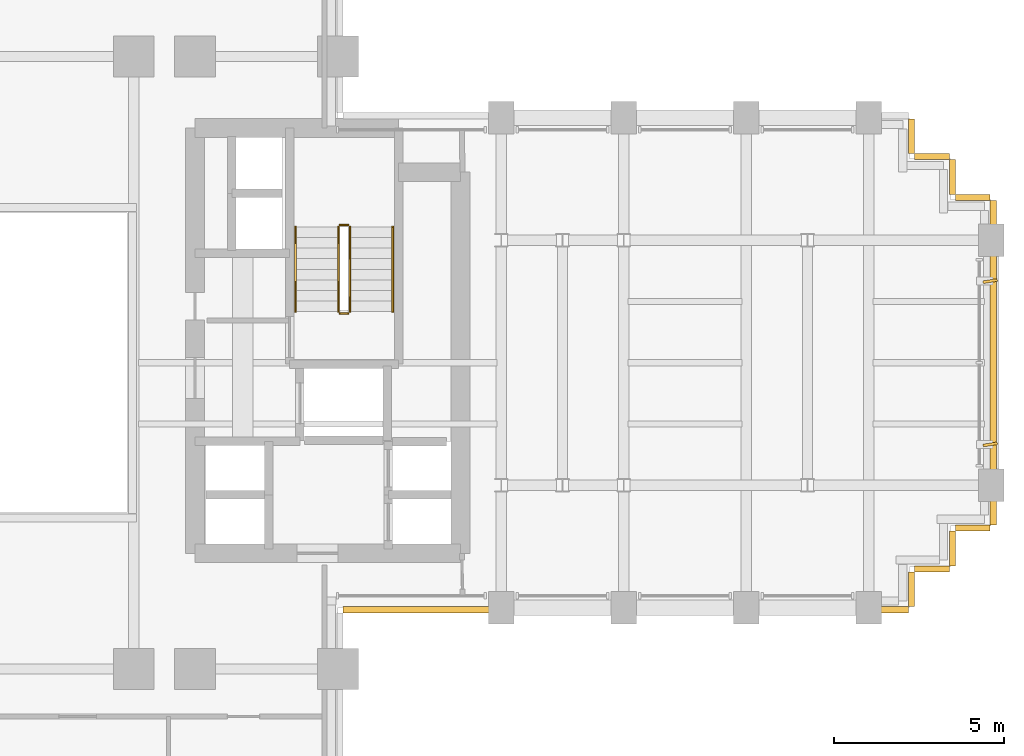
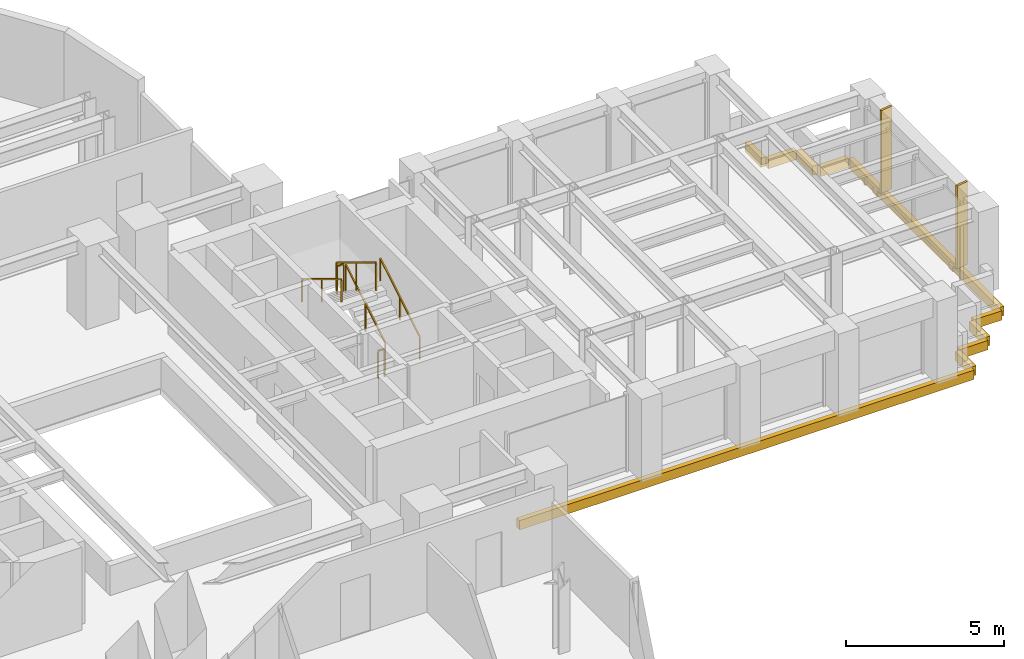
# One storey, part 15 of 16: 10 coverings, 6 railings, 2 shading devices.
"""IFC4 building model written with IfcOpenShell, lengths in metres."""

from ifc_helpers import new_model, si_unit, direction, frame, origin, origin_2d, place, context, subcontext, project, spatial, rectangle, extrude, source, transform, mapped, material, layer, layer_set, type_object, element, save


model = new_model("IFC4")

# Units and contexts
model_context = context("Model", 3, precision=1e-05, world=origin(), true_north=direction((0.0, 1.0)))
body_context = subcontext(model_context, "Body", "Model", "MODEL_VIEW")
ifc_project = project(units=[si_unit("LENGTHUNIT", "METRE"), si_unit("AREAUNIT", "SQUARE_METRE"), si_unit("VOLUMEUNIT", "CUBIC_METRE"), si_unit("PLANEANGLEUNIT", "RADIAN"), si_unit("MASSUNIT", "GRAM", prefix="KILO")], contexts=[model_context])

# Site, building, storey
site_placement = place(None, origin())
site = spatial("IfcSite", under=ifc_project, at=site_placement, CompositionType="ELEMENT")
building_placement = place(site_placement, origin())
building = spatial("IfcBuilding", under=site, at=building_placement, Name="Keilestroom Media Tower", CompositionType="ELEMENT")
storey_placement = place(building_placement, frame((0.0, 0.0, 78.199951171875)))
storey = spatial("IfcBuildingStorey", under=building, at=storey_placement, Name="L20", CompositionType="ELEMENT", Elevation=78.199951171875)

# Railings
ifc_material_1 = material(Name="Brushed Stainless Steel 1.4301", Category="steel")
railing_type_1 = type_object("IfcRailingType", Name="Stair-Pitch-Handrail-920", PredefinedType="HANDRAIL", material=ifc_material_1)
railing_1_placement = place(storey_placement, frame((11.2099609375, 1.5, 0.18896484375)))
element("IfcRailing", 1, at=railing_1_placement, inside=storey, type_object=railing_type_1, Name="L20 ST-2 stair handrail 1", PredefinedType="HANDRAIL", context=body_context, shape_type="SweptSolid", body=[
    extrude(rectangle(XDim=0.048095703125, YDim=0.048095703125, at=origin_2d()), frame((0.0, 0.0, 0.8759765625), z_axis=(0.0, 0.855470815493, 0.517851024754), x_axis=(-1.0, 0.0, 0.0)), (0.0, 0.0, 1.0), 2.917724609375),
    extrude(rectangle(XDim=0.0419921875, YDim=0.0419921875, at=origin_2d()), origin(), (0.0, 0.0, 1.0), 0.84375),
    extrude(rectangle(XDim=0.0419921875, YDim=0.0419921875, at=origin_2d()), frame((0.0, 1.248046875, 0.75537109375)), (0.0, 0.0, 1.0), 0.84375),
    extrude(rectangle(XDim=0.0419921875, YDim=0.0419921875, at=origin_2d()), frame((0.0, 2.49609375, 1.510986328125)), (0.0, 0.0, 1.0), 0.84375),
])
railing_2_placement = place(storey_placement, frame((8.35009765625, 3.99609375, 1.888916015625)))
element("IfcRailing", 2, at=railing_2_placement, inside=storey, type_object=railing_type_1, Name="L20 ST-2 stair handrail 2", PredefinedType="HANDRAIL", context=body_context, shape_type="SweptSolid", body=[
    extrude(rectangle(XDim=0.048095703125, YDim=0.048095703125, at=origin_2d()), frame((0.0, 0.0, 0.8759765625), z_axis=(0.0, -0.855433747314, 0.517912255074), x_axis=(1.0, 0.0, 0.0)), (0.0, 0.0, 1.0), 2.91796875),
    extrude(rectangle(XDim=0.0419921875, YDim=0.0419921875, at=origin_2d()), origin(), (0.0, 0.0, 1.0), 0.84375),
    extrude(rectangle(XDim=0.0419921875, YDim=0.0419921875, at=origin_2d()), frame((0.0, -1.248046875, 0.755615234375)), (0.0, 0.0, 1.0), 0.84375),
    extrude(rectangle(XDim=0.0419921875, YDim=0.0419921875, at=origin_2d()), frame((0.0, -2.49609375, 1.51123046875)), (0.0, 0.0, 1.0), 0.84375),
])
ifc_material_2 = material(Name="Painted Steel Balustrade", Category="steel")
railing_type_2 = type_object("IfcRailingType", Name="Stair-Well-And-Landing-Guard-1100", PredefinedType="GUARDRAIL", material=ifc_material_2)
railing_3_placement = place(storey_placement, frame((9.949951171875, 1.5, 0.18896484375)))
element("IfcRailing", 3, at=railing_3_placement, inside=storey, type_object=railing_type_2, Name="L20 ST-2 stair guard 1", PredefinedType="GUARDRAIL", context=body_context, shape_type="SweptSolid", body=[
    extrude(rectangle(XDim=0.048095703125, YDim=0.048095703125, at=origin_2d()), frame((0.0, 0.0, 1.076171875), z_axis=(0.0, 0.855470815493, 0.517851024754), x_axis=(-1.0, 0.0, 0.0)), (0.0, 0.0, 1.0), 2.917724609375),
    extrude(rectangle(XDim=0.0419921875, YDim=0.0419921875, at=origin_2d()), origin(), (0.0, 0.0, 1.0), 1.0439453125),
    extrude(rectangle(XDim=0.0419921875, YDim=0.0419921875, at=origin_2d()), frame((0.0, 1.248046875, 0.75537109375)), (0.0, 0.0, 1.0), 1.0439453125),
    extrude(rectangle(XDim=0.0419921875, YDim=0.0419921875, at=origin_2d()), frame((0.0, 2.49609375, 1.510986328125)), (0.0, 0.0, 1.0), 1.0439453125),
])
railing_4_placement = place(storey_placement, frame((9.89990234375, 4.0458984375, 1.699951171875)))
element("IfcRailing", 4, at=railing_4_placement, inside=storey, type_object=railing_type_2, Name="L20 ST-2 stair guard 2", PredefinedType="GUARDRAIL", context=body_context, shape_type="SweptSolid", body=[
    extrude(rectangle(XDim=0.048095703125, YDim=0.048095703125, at=origin_2d()), frame((0.0, 0.0, 1.076171875), z_axis=(-1.0, 0.0, 0.0), x_axis=(0.0, -1.0, 0.0)), (0.0, 0.0, 1.0), 0.239990234375),
    extrude(rectangle(XDim=0.0419921875, YDim=0.0419921875, at=origin_2d()), origin(), (0.0, 0.0, 1.0), 1.0439453125),
    extrude(rectangle(XDim=0.0419921875, YDim=0.0419921875, at=origin_2d()), frame((-0.239990234375, 0.0, 0.0)), (0.0, 0.0, 1.0), 1.0439453125),
])
railing_5_placement = place(storey_placement, frame((9.610107421875, 3.99609375, 1.888916015625)))
element("IfcRailing", 5, at=railing_5_placement, inside=storey, type_object=railing_type_2, Name="L20 ST-2 stair guard 3", PredefinedType="GUARDRAIL", context=body_context, shape_type="SweptSolid", body=[
    extrude(rectangle(XDim=0.048095703125, YDim=0.048095703125, at=origin_2d()), frame((0.0, 0.0, 1.076171875), z_axis=(0.0, -0.855433747314, 0.517912255074), x_axis=(1.0, 0.0, 0.0)), (0.0, 0.0, 1.0), 2.91796875),
    extrude(rectangle(XDim=0.0419921875, YDim=0.0419921875, at=origin_2d()), origin(), (0.0, 0.0, 1.0), 1.0439453125),
    extrude(rectangle(XDim=0.0419921875, YDim=0.0419921875, at=origin_2d()), frame((0.0, -1.248046875, 0.755615234375)), (0.0, 0.0, 1.0), 1.0439453125),
    extrude(rectangle(XDim=0.0419921875, YDim=0.0419921875, at=origin_2d()), frame((0.0, -2.49609375, 1.51123046875)), (0.0, 0.0, 1.0), 1.0439453125),
])
railing_6_placement = place(storey_placement, frame((9.89990234375, 1.449951171875, 0.0)))
element("IfcRailing", 6, at=railing_6_placement, inside=storey, type_object=railing_type_2, Name="L20 ST-2 stair guard 4", PredefinedType="GUARDRAIL", context=body_context, shape_type="SweptSolid", body=[
    extrude(rectangle(XDim=0.048095703125, YDim=0.048095703125, at=origin_2d()), frame((0.0, 0.0, 1.076171875), z_axis=(-1.0, 0.0, 0.0), x_axis=(0.0, -1.0, 0.0)), (0.0, 0.0, 1.0), 0.239990234375),
    extrude(rectangle(XDim=0.0419921875, YDim=0.0419921875, at=origin_2d()), origin(), (0.0, 0.0, 1.0), 1.0439453125),
    extrude(rectangle(XDim=0.0419921875, YDim=0.0419921875, at=origin_2d()), frame((-0.239990234375, 0.0, 0.0)), (0.0, 0.0, 1.0), 1.0439453125),
])

# Shading devices
ifc_material_3 = material(Name="Bronze Anodised Aluminium", Category="aluminium")
shading_device_type = type_object("IfcShadingDeviceType", Name="Facade-Vertical-Sunshade-Fin-SHD-1", PredefinedType="USERDEFINED", material=ifc_material_3)
shared_shape_1 = source(origin(), body_context, "Body", "SweptSolid", [
    extrude(rectangle(XDim=0.419921875, YDim=0.080078125, at=origin_2d()), origin(), (0.0, 0.0, 1.0), 3.199951171875),
])
for number, where, z_axis, x_axis, name in (
    (7, (28.77001953125, -2.39990234375, 0.0), (0.0, 0.0, 1.0), (0.988040736507, 0.15419307054, 0.0), "L20 Twisting Sunshade Fin SHD-1 027"),
    (8, (28.77001953125, 2.39990234375, 0.0), (0.0, 0.0, 1.0), (0.988040736507, 0.15419307054, 0.0), "L20 Twisting Sunshade Fin SHD-1 028"),
):
    element("IfcShadingDevice", number, at=place(storey_placement, frame(where, z_axis=z_axis, x_axis=x_axis)), inside=storey, type_object=shading_device_type, Name=name, ObjectType="SUNSHADE", PredefinedType="USERDEFINED", context=body_context, shape_type="MappedRepresentation", body=[
        mapped(shared_shape_1, transform((0.0, 0.0, 0.0), x_axis=(1.0, 0.0, 0.0), y_axis=(0.0, 1.0, 0.0), z_axis=(0.0, 0.0, 1.0), scale=1.0)),
    ])

# Coverings
ifc_material_4 = material(Name="Precast concrete C40/50", Category="concrete")
ifc_layer = layer(ifc_material_4, 0.1201171875)
ifc_layer_set = layer_set([ifc_layer], Name="Precast concrete C40/50")
covering_type = type_object("IfcCoveringType", Name="Exterior-Precast-Spandrel-Cladding-Panel-120", PredefinedType="CLADDING", material=ifc_layer_set)
shared_shape_2 = source(origin(), body_context, "Body", "SweptSolid", [
    extrude(rectangle(XDim=1.02001953125, YDim=0.179931640625, at=origin_2d()), origin(), (0.0, 0.0, 1.0), 0.360107421875),
])
for number, where, z_axis, x_axis, name in (
    (9, (28.260009765625, -4.860107421875, -0.5400390625), (0.0, 0.0, 1.0), (-1.0, 0.0, 0.0), "L20 Precast Slab-Edge Fascia Cornice 01"),
    (10, (27.659912109375, -5.4599609375, -0.5400390625), (0.0, 0.0, 1.0), (0.0, -1.0, 0.0), "L20 Precast Slab-Edge Fascia Cornice 02"),
    (11, (27.06005859375, -6.06005859375, -0.5400390625), (0.0, 0.0, 1.0), (-1.0, 0.0, 0.0), "L20 Precast Slab-Edge Fascia Cornice 03"),
    (12, (26.4599609375, -6.659912109375, -0.5400390625), (0.0, 0.0, 1.0), (0.0, -1.0, 0.0), "L20 Precast Slab-Edge Fascia Cornice 04"),
    (13, (26.4599609375, 6.659912109375, -0.5400390625), (0.0, 0.0, 1.0), (0.0, -1.0, 0.0), "L20 Precast Slab-Edge Fascia Cornice 38"),
    (14, (27.06005859375, 6.06005859375, -0.5400390625), (0.0, 0.0, 1.0), (1.0, 0.0, 0.0), "L20 Precast Slab-Edge Fascia Cornice 39"),
    (15, (27.659912109375, 5.4599609375, -0.5400390625), (0.0, 0.0, 1.0), (0.0, -1.0, 0.0), "L20 Precast Slab-Edge Fascia Cornice 40"),
    (16, (28.260009765625, 4.860107421875, -0.5400390625), (0.0, 0.0, 1.0), (1.0, 0.0, 0.0), "L20 Precast Slab-Edge Fascia Cornice 41"),
):
    element("IfcCovering", number, at=place(storey_placement, frame(where, z_axis=z_axis, x_axis=x_axis)), inside=storey, type_object=covering_type, Name=name, PredefinedType="CLADDING", context=body_context, shape_type="MappedRepresentation", body=[
        mapped(shared_shape_2, transform((0.0, 0.0, 0.0), x_axis=(1.0, 0.0, 0.0), y_axis=(0.0, 1.0, 0.0), z_axis=(0.0, 0.0, 1.0), scale=1.0)),
    ])
shared_shape_3 = source(origin(), body_context, "Body", "SweptSolid", [
    extrude(rectangle(XDim=16.6201171875, YDim=0.179931640625, at=origin_2d()), origin(), (0.0, 0.0, 1.0), 0.360107421875),
])
covering_1_placement = place(storey_placement, frame((18.06005859375, -7.260009765625, -0.5400390625), z_axis=(0.0, 0.0, 1.0), x_axis=(-1.0, 0.0, 0.0)))
element("IfcCovering", 17, at=covering_1_placement, inside=storey, type_object=covering_type, Name="L20 Precast Slab-Edge Fascia Cornice 05", PredefinedType="CLADDING", context=body_context, shape_type="MappedRepresentation", body=[
    mapped(shared_shape_3, transform((0.0, 0.0, 0.0), x_axis=(1.0, 0.0, 0.0), y_axis=(0.0, 1.0, 0.0), z_axis=(0.0, 0.0, 1.0), scale=1.0)),
])
shared_shape_4 = source(origin(), body_context, "Body", "SweptSolid", [
    extrude(rectangle(XDim=9.5400390625, YDim=0.179931640625, at=origin_2d()), origin(), (0.0, 0.0, 1.0), 0.360107421875),
])
covering_2_placement = place(storey_placement, frame((28.860107421875, 0.0, -0.5400390625), z_axis=(0.0, 0.0, 1.0), x_axis=(0.0, -1.0, 0.0)))
element("IfcCovering", 18, at=covering_2_placement, inside=storey, type_object=covering_type, Name="L20 Precast Slab-Edge Fascia Cornice 42", PredefinedType="CLADDING", context=body_context, shape_type="MappedRepresentation", body=[
    mapped(shared_shape_4, transform((0.0, 0.0, 0.0), x_axis=(1.0, 0.0, 0.0), y_axis=(0.0, 1.0, 0.0), z_axis=(0.0, 0.0, 1.0), scale=1.0)),
])

save(model, "model.ifc")
